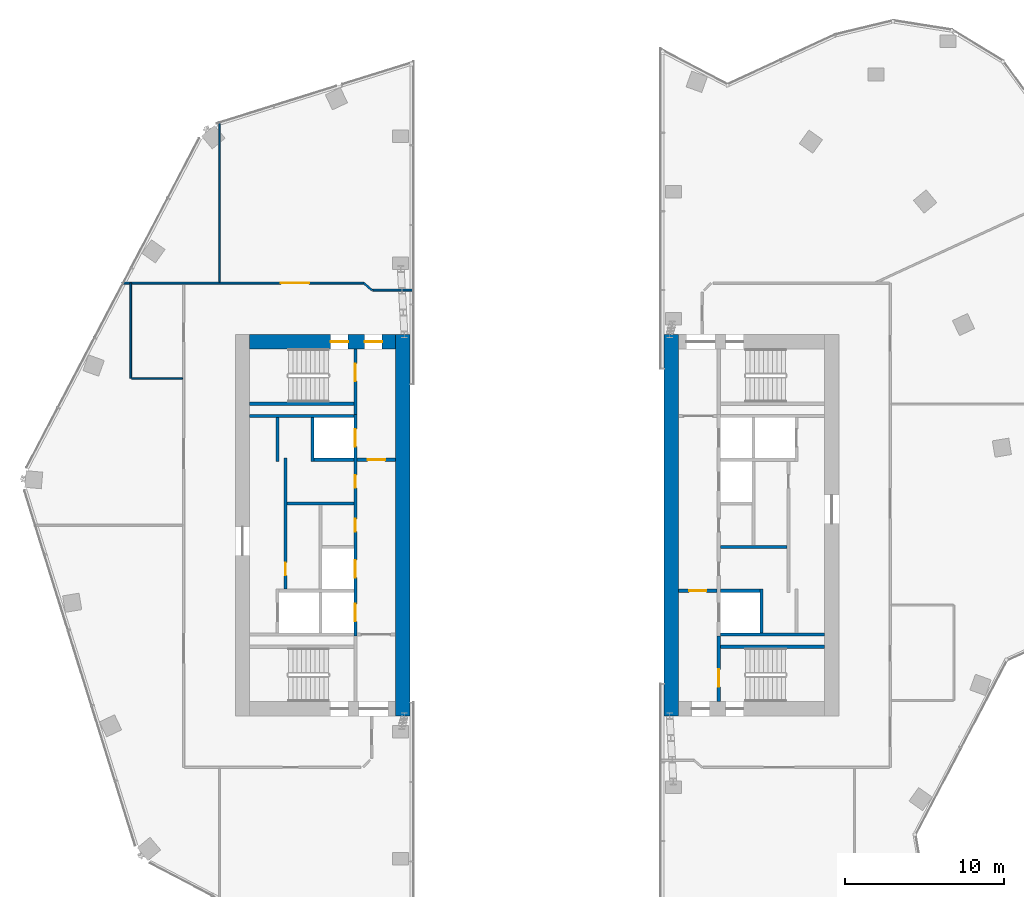
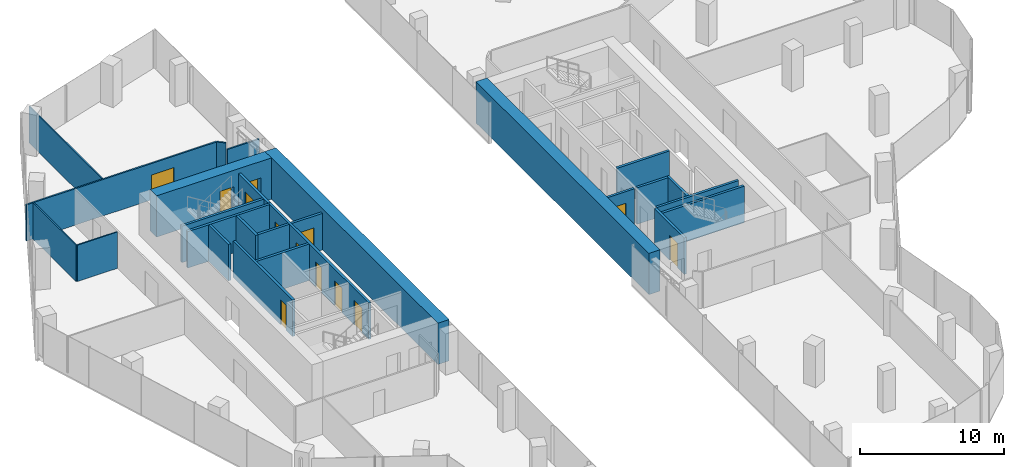
# One storey, part 19 of 23: 26 walls, 13 doors, 13 openings.
"""IFC4 building model written with IfcOpenShell, lengths in metres."""

from ifc_helpers import new_model, si_unit, direction, frame, frame_2d, origin, place, context, subcontext, project, spatial, rectangle, extrude, material, layer, layer_set, type_object, element, fill, save


model = new_model("IFC4")

# Units and contexts
model_context = context("Model", 3, precision=1e-05, world=origin(), true_north=direction((0.0, 1.0)))
body_context = subcontext(model_context, "Body", "Model", "MODEL_VIEW")
ifc_project = project(units=[si_unit("LENGTHUNIT", "METRE"), si_unit("AREAUNIT", "SQUARE_METRE"), si_unit("VOLUMEUNIT", "CUBIC_METRE"), si_unit("PLANEANGLEUNIT", "RADIAN"), si_unit("MASSUNIT", "GRAM", prefix="KILO")], contexts=[model_context])

# Site, building, storey
site_placement = place(None, origin())
site = spatial("IfcSite", under=ifc_project, at=site_placement, CompositionType="ELEMENT")
building_placement = place(site_placement, origin())
building = spatial("IfcBuilding", under=site, at=building_placement, Name="Orlundy Tower", CompositionType="ELEMENT")
storey_placement = place(building_placement, frame((0.0, 0.0, 257.0)))
storey = spatial("IfcBuildingStorey", under=building, at=storey_placement, Name="L68", CompositionType="ELEMENT", Elevation=257.0)

# Wall, openings, doors
ifc_material_1 = material(Name="Concrete C60/75", Category="concrete")
ifc_layer_1 = layer(ifc_material_1, 0.89990234375)
ifc_layer_set_1 = layer_set([ifc_layer_1], Name="CORE WALL 900 C60/75")
wall_type_1 = type_object("IfcWallType", Name="CORE WALL 900 C60/75", PredefinedType="SHEAR", material=ifc_layer_set_1)
wall_1_placement = place(storey_placement, frame((-18.10009765625, 11.550048828125, 0.0), z_axis=(0.0, 0.0, 1.0), x_axis=(1.0, 0.0, 0.0)))
wall_1 = element("IfcWall", 1, at=wall_1_placement, inside=storey, type_object=wall_type_1, Name="Core wall W-N L68", PredefinedType="SHEAR", context=body_context, shape_type="SweptSolid", body=[
    extrude(rectangle(XDim=9.2001953125, YDim=0.89990234375, at=frame_2d((4.60009765625, 0.0))), origin(), (0.0, 0.0, 1.0), 3.5),
])
opening_1_placement = place(wall_1_placement, frame((7.25, 0.0, 0.0)))
opening_1 = element("IfcOpeningElement", 2, at=opening_1_placement, cuts=wall_1, Name="Opening 52009", PredefinedType="OPENING", context=body_context, shape_type="SweptSolid", body=[
    extrude(rectangle(XDim=1.10009765625, YDim=2.10009765625, at=frame_2d((0.550048828125, 1.050048828125))), frame((0.0, 0.4599609375, 0.0), z_axis=(0.0, -1.0, 0.0), x_axis=(1.0, 0.0, 0.0)), (0.0, 0.0, 1.0), 0.919921875),
])
opening_2_placement = place(wall_1_placement, frame((5.10009765625, 0.0, 0.0)))
opening_2 = element("IfcOpeningElement", 3, at=opening_2_placement, cuts=wall_1, Name="Opening 52013", PredefinedType="OPENING", context=body_context, shape_type="SweptSolid", body=[
    extrude(rectangle(XDim=1.10009765625, YDim=2.10009765625, at=frame_2d((0.550048828125, 1.050048828125))), frame((0.0, 0.4599609375, 0.0), z_axis=(0.0, -1.0, 0.0), x_axis=(1.0, 0.0, 0.0)), (0.0, 0.0, 1.0), 0.919921875),
])
ifc_material_2 = material(Name="Steel door set", Category="steel")
door_type_1 = type_object("IfcDoorType", Name="Fire-fighting Lobby Door 1100x2100", OperationType="SINGLE_SWING_LEFT", PredefinedType="DOOR", material=ifc_material_2)
door_1_placement = place(opening_1_placement, origin())
door_1 = element("IfcDoor", 4, at=door_1_placement, inside=storey, type_object=door_type_1, Name="Fire-fighting lobby door 52009", OperationType="SINGLE_SWING_RIGHT", OverallHeight=2.10009765625, OverallWidth=1.10009765625, PredefinedType="DOOR", context=body_context, shape_type="SweptSolid", body=[
    extrude(rectangle(XDim=1.10009765625, YDim=2.10009765625, at=frame_2d((0.550048828125, 1.050048828125))), frame((0.0, 0.02490234375, 0.0), z_axis=(0.0, -1.0, 0.0), x_axis=(1.0, 0.0, 0.0)), (0.0, 0.0, 1.0), 0.050048828125),
])
fill(opening_1, door_1)
ifc_material_3 = material(Name="Steel door set", Category="steel")
door_type_2 = type_object("IfcDoorType", Name="Stair Door 1100x2100", OperationType="SINGLE_SWING_LEFT", PredefinedType="DOOR", material=ifc_material_3)
door_2_placement = place(opening_2_placement, origin())
door_2 = element("IfcDoor", 5, at=door_2_placement, inside=storey, type_object=door_type_2, Name="Stair door 52013", OperationType="SINGLE_SWING_RIGHT", OverallHeight=2.10009765625, OverallWidth=1.10009765625, PredefinedType="DOOR", context=body_context, shape_type="SweptSolid", body=[
    extrude(rectangle(XDim=1.10009765625, YDim=2.10009765625, at=frame_2d((0.550048828125, 1.050048828125))), frame((0.0, 0.02490234375, 0.0), z_axis=(0.0, -1.0, 0.0), x_axis=(1.0, 0.0, 0.0)), (0.0, 0.0, 1.0), 0.050048828125),
])
fill(opening_2, door_2)

# Walls
for number, where, z_axis, x_axis, name in (
    (6, (-8.449951171875, -12.0, 0.0), (0.0, 0.0, 1.0), (0.0, 1.0, 0.0), "Core wall W-E L68"),
    (7, (8.449951171875, -12.0, 0.0), (0.0, 0.0, 1.0), (0.0, 1.0, 0.0), "Core wall E-W L68"),
):
    element("IfcWall", number, at=place(storey_placement, frame(where, z_axis=z_axis, x_axis=x_axis)), inside=storey, type_object=wall_type_1, Name=name, PredefinedType="SHEAR", context=body_context, shape_type="SweptSolid", body=[
        extrude(rectangle(XDim=24.0, YDim=0.89990234375, at=frame_2d((12.0, 0.0))), origin(), (0.0, 0.0, 1.0), 3.5),
    ])
ifc_material_4 = material(Name="Gypsum board partition")
ifc_layer_2 = layer(ifc_material_4, 0.10009765625)
ifc_layer_set_2 = layer_set([ifc_layer_2], Name="Floor partition 100")
wall_type_2 = type_object("IfcWallType", Name="Floor partition 100", PredefinedType="PARTITIONING", material=ifc_layer_set_2)
wall_2_placement = place(storey_placement, frame((-25.531982421875, 9.2490234375, 0.0), z_axis=(0.0, 0.0, 1.0), x_axis=(1.0, 0.0, 0.0)))
element("IfcWall", 8, at=wall_2_placement, inside=storey, type_object=wall_type_2, Name="wall-int-L68-008", PredefinedType="PARTITIONING", context=body_context, shape_type="SweptSolid", body=[
    extrude(rectangle(XDim=3.219970703125, YDim=0.10009765625, at=frame_2d((1.60986328125, 0.0))), origin(), (0.0, 0.0, 1.0), 3.080078125),
])
wall_3_placement = place(storey_placement, frame((-20.0, 15.31298828125, 0.0), z_axis=(0.0, 0.0, 1.0), x_axis=(0.0, 1.0, 0.0)))
element("IfcWall", 9, at=wall_3_placement, inside=storey, type_object=wall_type_2, Name="wall-int-L68-023", PredefinedType="PARTITIONING", context=body_context, shape_type="SweptSolid", body=[
    extrude(rectangle(XDim=10.134033203125, YDim=0.10009765625, at=frame_2d((5.06689453125, 0.0))), origin(), (0.0, 0.0, 1.0), 3.080078125),
])
wall_4_placement = place(storey_placement, frame((-25.58203125, 9.2490234375, 0.0), z_axis=(0.0, 0.0, 1.0), x_axis=(0.0, 1.0, 0.0)))
element("IfcWall", 10, at=wall_4_placement, inside=storey, type_object=wall_type_2, Name="wall-int-L68-025", PredefinedType="PARTITIONING", context=body_context, shape_type="SweptSolid", body=[
    extrude(rectangle(XDim=6.0, YDim=0.10009765625, at=frame_2d((3.0, 0.0))), origin(), (0.0, 0.0, 1.0), 3.080078125),
])

# Wall, opening, door
ifc_material_5 = material(Name="Gypsum board partition, double layer")
ifc_layer_3 = layer(ifc_material_5, 0.125)
ifc_layer_set_3 = layer_set([ifc_layer_3], Name="Floor partition 125")
wall_type_3 = type_object("IfcWallType", Name="Floor partition 125", PredefinedType="PARTITIONING", material=ifc_layer_set_3)
wall_5_placement = place(storey_placement, frame((-26.159912109375, 15.25, 0.0), z_axis=(0.0, 0.0, 1.0), x_axis=(1.0, 0.0, 0.0)))
wall_5 = element("IfcWall", 11, at=wall_5_placement, inside=storey, type_object=wall_type_3, Name="wall-int-L68-010", PredefinedType="PARTITIONING", context=body_context, shape_type="SweptSolid", body=[
    extrude(rectangle(XDim=15.247802734375, YDim=0.125, at=frame_2d((7.6240234375, 0.0))), origin(), (0.0, 0.0, 1.0), 3.080078125),
])
opening_3_placement = place(wall_5_placement, frame((10.010009765625, 0.0, 0.0)))
opening_3 = element("IfcOpeningElement", 12, at=opening_3_placement, cuts=wall_5, Name="Opening 52108", PredefinedType="OPENING", context=body_context, shape_type="SweptSolid", body=[
    extrude(rectangle(XDim=1.800048828125, YDim=2.10009765625, at=frame_2d((0.89990234375, 1.050048828125))), frame((0.0, 0.072509765625, 0.0), z_axis=(0.0, -1.0, 0.0), x_axis=(1.0, 0.0, 0.0)), (0.0, 0.0, 1.0), 0.14501953125),
])
ifc_material_6 = material(Name="Timber door leaf", Category="wood")
door_type_3 = type_object("IfcDoorType", Name="Floor door double 1800 FD30S", OperationType="NOTDEFINED", PredefinedType="DOOR", material=ifc_material_6)
door_3_placement = place(opening_3_placement, origin())
door_3 = element("IfcDoor", 13, at=door_3_placement, inside=storey, type_object=door_type_3, Name="Door 52108", OperationType="DOUBLE_DOOR_SINGLE_SWING", OverallHeight=2.10009765625, OverallWidth=1.800048828125, PredefinedType="DOOR", context=body_context, shape_type="SweptSolid", body=[
    extrude(rectangle(XDim=1.800048828125, YDim=2.10009765625, at=frame_2d((0.89990234375, 1.050048828125))), frame((0.0, 0.02490234375, 0.0), z_axis=(0.0, -1.0, 0.0), x_axis=(1.0, 0.0, 0.0)), (0.0, 0.0, 1.0), 0.050048828125),
])
fill(opening_3, door_3)

# Walls
wall_6_placement = place(storey_placement, frame((-10.39892578125, 14.801025390625, 0.0), z_axis=(0.0, 0.0, 1.0), x_axis=(-0.752621053173, 0.658453909032, 0.0)))
element("IfcWall", 14, at=wall_6_placement, inside=storey, type_object=wall_type_3, Name="wall-int-L68-021", PredefinedType="PARTITIONING", context=body_context, shape_type="SweptSolid", body=[
    extrude(rectangle(XDim=0.681884765625, YDim=0.125, at=frame_2d((0.3408203125, 0.0))), origin(), (0.0, 0.0, 1.0), 3.080078125),
])
ifc_material_7 = material(Name="Gypsum board partition, double layer")
ifc_layer_4 = layer(ifc_material_7, 0.125)
ifc_layer_set_4 = layer_set([ifc_layer_4], Name="Floor partition 125 B")
wall_type_4 = type_object("IfcWallType", Name="Floor partition 125 B", PredefinedType="PARTITIONING", material=ifc_layer_set_4)
wall_7_placement = place(storey_placement, frame((-10.3359375, 14.801025390625, 0.0), z_axis=(0.0, 0.0, 1.0), x_axis=(1.0, 0.0, 0.0)))
element("IfcWall", 15, at=wall_7_placement, inside=storey, type_object=wall_type_4, Name="wall-int-L68-009", PredefinedType="PARTITIONING", context=body_context, shape_type="SweptSolid", body=[
    extrude(rectangle(XDim=2.5859375, YDim=0.125, at=frame_2d((1.29296875, 0.0))), origin(), (0.0, 0.0, 1.0), 2.496337890625),
])

# Wall, opening, door
ifc_material_8 = material(Name="Concrete C40/50", Category="concrete")
ifc_layer_5 = layer(ifc_material_8, 0.199951171875)
ifc_layer_set_5 = layer_set([ifc_layer_5], Name="Load-bearing Shaft Wall 200")
wall_type_5 = type_object("IfcWallType", Name="Load-bearing Shaft Wall 200", PredefinedType="SOLIDWALL", material=ifc_layer_set_5)
wall_8_placement = place(storey_placement, frame((-11.43994140625, 6.97509765625, 0.0), z_axis=(0.0, 0.0, 1.0), x_axis=(0.0, 1.0, 0.0)))
wall_8 = element("IfcWall", 16, at=wall_8_placement, inside=storey, type_object=wall_type_5, Name="Shaft wall W52-stair-end-n", PredefinedType="SOLIDWALL", context=body_context, shape_type="SweptSolid", body=[
    extrude(rectangle(XDim=4.125, YDim=0.199951171875, at=frame_2d((2.0625, 0.0))), origin(), (0.0, 0.0, 1.0), 3.090087890625),
])
opening_4_placement = place(wall_8_placement, frame((2.10009765625, 0.0, 0.0)))
opening_4 = element("IfcOpeningElement", 17, at=opening_4_placement, cuts=wall_8, Name="Opening 52015", PredefinedType="OPENING", context=body_context, shape_type="SweptSolid", body=[
    extrude(rectangle(XDim=1.10009765625, YDim=2.10009765625, at=frame_2d((0.550048828125, 1.050048828125))), frame((0.0, 0.110107421875, 0.0), z_axis=(0.0, -1.0, 0.0), x_axis=(1.0, 0.0, 0.0)), (0.0, 0.0, 1.0), 0.22021484375),
])
door_4_placement = place(opening_4_placement, origin())
door_4 = element("IfcDoor", 18, at=door_4_placement, inside=storey, type_object=door_type_1, Name="Fire-fighting lobby to stair door 52015", OperationType="SINGLE_SWING_RIGHT", OverallHeight=2.10009765625, OverallWidth=1.10009765625, PredefinedType="DOOR", context=body_context, shape_type="SweptSolid", body=[
    extrude(rectangle(XDim=1.10009765625, YDim=2.10009765625, at=frame_2d((0.550048828125, 1.050048828125))), frame((0.0, 0.02490234375, 0.0), z_axis=(0.0, -1.0, 0.0), x_axis=(1.0, 0.0, 0.0)), (0.0, 0.0, 1.0), 0.050048828125),
])
fill(opening_4, door_4)

# Wall
wall_9_placement = place(storey_placement, frame((-11.5400390625, 7.64990234375, 0.0), z_axis=(0.0, 0.0, 1.0), x_axis=(-1.0, 0.0, 0.0)))
element("IfcWall", 19, at=wall_9_placement, inside=storey, type_object=wall_type_5, Name="Shaft wall W52-stair-side-n", PredefinedType="SOLIDWALL", context=body_context, shape_type="SweptSolid", body=[
    extrude(rectangle(XDim=6.56005859375, YDim=0.199951171875, at=frame_2d((3.280029296875, 0.0))), origin(), (0.0, 0.0, 1.0), 3.090087890625),
])

# Wall, opening, door
wall_10_placement = place(storey_placement, frame((11.43994140625, -6.97509765625, 0.0), z_axis=(0.0, 0.0, 1.0), x_axis=(0.0, -1.0, 0.0)))
wall_10 = element("IfcWall", 20, at=wall_10_placement, inside=storey, type_object=wall_type_5, Name="Shaft wall E52-stair-end-n", PredefinedType="SOLIDWALL", context=body_context, shape_type="SweptSolid", body=[
    extrude(rectangle(XDim=4.125, YDim=0.199951171875, at=frame_2d((2.0625, 0.0))), origin(), (0.0, 0.0, 1.0), 3.090087890625),
])
opening_5_placement = place(wall_10_placement, frame((2.10009765625, 0.0, 0.0)))
opening_5 = element("IfcOpeningElement", 21, at=opening_5_placement, cuts=wall_10, Name="Opening 52064", PredefinedType="OPENING", context=body_context, shape_type="SweptSolid", body=[
    extrude(rectangle(XDim=1.10009765625, YDim=2.10009765625, at=frame_2d((0.550048828125, 1.050048828125))), frame((0.0, 0.110107421875, 0.0), z_axis=(0.0, -1.0, 0.0), x_axis=(1.0, 0.0, 0.0)), (0.0, 0.0, 1.0), 0.22021484375),
])
door_5_placement = place(opening_5_placement, origin())
door_5 = element("IfcDoor", 22, at=door_5_placement, inside=storey, type_object=door_type_1, Name="Fire-fighting lobby to stair door 52064", OperationType="SINGLE_SWING_RIGHT", OverallHeight=2.10009765625, OverallWidth=1.10009765625, PredefinedType="DOOR", context=body_context, shape_type="SweptSolid", body=[
    extrude(rectangle(XDim=1.10009765625, YDim=2.10009765625, at=frame_2d((0.550048828125, 1.050048828125))), frame((0.0, 0.02490234375, 0.0), z_axis=(0.0, -1.0, 0.0), x_axis=(1.0, 0.0, 0.0)), (0.0, 0.0, 1.0), 0.050048828125),
])
fill(opening_5, door_5)

# Wall
wall_11_placement = place(storey_placement, frame((11.5400390625, -7.64990234375, 0.0), z_axis=(0.0, 0.0, 1.0), x_axis=(1.0, 0.0, 0.0)))
element("IfcWall", 23, at=wall_11_placement, inside=storey, type_object=wall_type_5, Name="Shaft wall E52-stair-side-n", PredefinedType="SOLIDWALL", context=body_context, shape_type="SweptSolid", body=[
    extrude(rectangle(XDim=6.56005859375, YDim=0.199951171875, at=frame_2d((3.280029296875, 0.0))), origin(), (0.0, 0.0, 1.0), 3.090087890625),
])

# Wall, opening, door
ifc_material_9 = material(Name="Gypsum board partition on steel studs", Category="steel")
ifc_layer_6 = layer(ifc_material_9, 0.199951171875)
ifc_layer_set_6 = layer_set([ifc_layer_6], Name="Partition 200")
wall_type_6 = type_object("IfcWallType", Name="Partition 200", PredefinedType="PARTITIONING", material=ifc_layer_set_6)
wall_12_placement = place(storey_placement, frame((-8.89990234375, 4.125, 0.0), z_axis=(0.0, 0.0, 1.0), x_axis=(-1.0, 0.0, 0.0)))
wall_12 = element("IfcWall", 24, at=wall_12_placement, inside=storey, type_object=wall_type_6, Name="Partition wall W52-lobby-n", PredefinedType="PARTITIONING", context=body_context, shape_type="SweptSolid", body=[
    extrude(rectangle(XDim=2.440185546875, YDim=0.199951171875, at=frame_2d((1.22021484375, 0.0))), origin(), (0.0, 0.0, 1.0), 3.090087890625),
])
opening_6_placement = place(wall_12_placement, frame((0.669921875, 0.0, 0.0)))
opening_6 = element("IfcOpeningElement", 25, at=opening_6_placement, cuts=wall_12, Name="Opening 52010", PredefinedType="OPENING", context=body_context, shape_type="SweptSolid", body=[
    extrude(rectangle(XDim=1.10009765625, YDim=2.10009765625, at=frame_2d((0.550048828125, 1.050048828125))), frame((0.0, 0.110107421875, 0.0), z_axis=(0.0, -1.0, 0.0), x_axis=(1.0, 0.0, 0.0)), (0.0, 0.0, 1.0), 0.22021484375),
])
door_6_placement = place(opening_6_placement, origin())
door_6 = element("IfcDoor", 26, at=door_6_placement, inside=storey, type_object=door_type_1, Name="Lift lobby to fire-fighting lobby door 52010", OperationType="SINGLE_SWING_RIGHT", OverallHeight=2.10009765625, OverallWidth=1.10009765625, PredefinedType="DOOR", context=body_context, shape_type="SweptSolid", body=[
    extrude(rectangle(XDim=1.10009765625, YDim=2.10009765625, at=frame_2d((0.550048828125, 1.050048828125))), frame((0.0, 0.02490234375, 0.0), z_axis=(0.0, -1.0, 0.0), x_axis=(1.0, 0.0, 0.0)), (0.0, 0.0, 1.0), 0.050048828125),
])
fill(opening_6, door_6)

wall_13_placement = place(storey_placement, frame((8.89990234375, -4.125, 0.0), z_axis=(0.0, 0.0, 1.0), x_axis=(1.0, 0.0, 0.0)))
wall_13 = element("IfcWall", 27, at=wall_13_placement, inside=storey, type_object=wall_type_6, Name="Partition wall E52-lobby-n", PredefinedType="PARTITIONING", context=body_context, shape_type="SweptSolid", body=[
    extrude(rectangle(XDim=2.440185546875, YDim=0.199951171875, at=frame_2d((1.22021484375, 0.0))), origin(), (0.0, 0.0, 1.0), 3.090087890625),
])
opening_7_placement = place(wall_13_placement, frame((0.669921875, 0.0, 0.0)))
opening_7 = element("IfcOpeningElement", 28, at=opening_7_placement, cuts=wall_13, Name="Opening 52059", PredefinedType="OPENING", context=body_context, shape_type="SweptSolid", body=[
    extrude(rectangle(XDim=1.10009765625, YDim=2.10009765625, at=frame_2d((0.550048828125, 1.050048828125))), frame((0.0, 0.110107421875, 0.0), z_axis=(0.0, -1.0, 0.0), x_axis=(1.0, 0.0, 0.0)), (0.0, 0.0, 1.0), 0.22021484375),
])
door_7_placement = place(opening_7_placement, origin())
door_7 = element("IfcDoor", 29, at=door_7_placement, inside=storey, type_object=door_type_1, Name="Lift lobby to fire-fighting lobby door 52059", OperationType="SINGLE_SWING_RIGHT", OverallHeight=2.10009765625, OverallWidth=1.10009765625, PredefinedType="DOOR", context=body_context, shape_type="SweptSolid", body=[
    extrude(rectangle(XDim=1.10009765625, YDim=2.10009765625, at=frame_2d((0.550048828125, 1.050048828125))), frame((0.0, 0.02490234375, 0.0), z_axis=(0.0, -1.0, 0.0), x_axis=(1.0, 0.0, 0.0)), (0.0, 0.0, 1.0), 0.050048828125),
])
fill(opening_7, door_7)

# Walls
ifc_material_10 = material(Name="Fire-rated blockwork shaft wall", Category="masonry")
ifc_layer_7 = layer(ifc_material_10, 0.199951171875)
ifc_layer_set_7 = layer_set([ifc_layer_7], Name="Shaft Wall 200")
wall_type_7 = type_object("IfcWallType", Name="Shaft Wall 200", PredefinedType="SOLIDWALL", material=ifc_layer_set_7)
wall_14_placement = place(storey_placement, frame((-11.5400390625, 6.875, 0.0), z_axis=(0.0, 0.0, 1.0), x_axis=(-1.0, 0.0, 0.0)))
element("IfcWall", 30, at=wall_14_placement, inside=storey, type_object=wall_type_7, Name="Shaft wall W52-zone-n", PredefinedType="SOLIDWALL", context=body_context, shape_type="SweptSolid", body=[
    extrude(rectangle(XDim=6.56005859375, YDim=0.199951171875, at=frame_2d((3.280029296875, 0.0))), origin(), (0.0, 0.0, 1.0), 3.090087890625),
])
wall_15_placement = place(storey_placement, frame((-11.5400390625, 1.375, 0.0), z_axis=(0.0, 0.0, 1.0), x_axis=(-1.0, 0.0, 0.0)))
element("IfcWall", 31, at=wall_15_placement, inside=storey, type_object=wall_type_7, Name="Shaft wall W52-cross+1.375", PredefinedType="SOLIDWALL", context=body_context, shape_type="SweptSolid", body=[
    extrude(rectangle(XDim=4.199951171875, YDim=0.199951171875, at=frame_2d((2.10009765625, 0.0))), origin(), (0.0, 0.0, 1.0), 3.090087890625),
])
wall_16_placement = place(storey_placement, frame((-11.5400390625, 4.125, 0.0), z_axis=(0.0, 0.0, 1.0), x_axis=(-1.0, 0.0, 0.0)))
element("IfcWall", 32, at=wall_16_placement, inside=storey, type_object=wall_type_7, Name="Shaft wall W52-cross+4.125", PredefinedType="SOLIDWALL", context=body_context, shape_type="SweptSolid", body=[
    extrude(rectangle(XDim=2.5, YDim=0.199951171875, at=frame_2d((1.25, 0.0))), origin(), (0.0, 0.0, 1.0), 3.090087890625),
])

# Wall, openings, doors
wall_17_placement = place(storey_placement, frame((-11.43994140625, -6.97509765625, 0.0), z_axis=(0.0, 0.0, 1.0), x_axis=(0.0, 1.0, 0.0)))
wall_17 = element("IfcWall", 33, at=wall_17_placement, inside=storey, type_object=wall_type_7, Name="Shaft wall W52-front-h", PredefinedType="SOLIDWALL", context=body_context, shape_type="SweptSolid", body=[
    extrude(rectangle(XDim=13.9501953125, YDim=0.199951171875, at=frame_2d((6.97509765625, 0.0))), origin(), (0.0, 0.0, 1.0), 3.090087890625),
])
opening_8_placement = place(wall_17_placement, frame((0.925048828125, 0.0, 0.0)))
opening_8 = element("IfcOpeningElement", 34, at=opening_8_placement, cuts=wall_17, Name="Opening 52001", PredefinedType="OPENING", context=body_context, shape_type="SweptSolid", body=[
    extrude(rectangle(XDim=1.10009765625, YDim=2.10009765625, at=frame_2d((0.550048828125, 1.050048828125))), frame((0.0, 0.110107421875, 0.0), z_axis=(0.0, -1.0, 0.0), x_axis=(1.0, 0.0, 0.0)), (0.0, 0.0, 1.0), 0.22021484375),
])
opening_9_placement = place(wall_17_placement, frame((3.675048828125, 0.0, 0.0)))
opening_9 = element("IfcOpeningElement", 35, at=opening_9_placement, cuts=wall_17, Name="Opening 52003", PredefinedType="OPENING", context=body_context, shape_type="SweptSolid", body=[
    extrude(rectangle(XDim=1.10009765625, YDim=2.10009765625, at=frame_2d((0.550048828125, 1.050048828125))), frame((0.0, 0.110107421875, 0.0), z_axis=(0.0, -1.0, 0.0), x_axis=(1.0, 0.0, 0.0)), (0.0, 0.0, 1.0), 0.22021484375),
])
opening_10_placement = place(wall_17_placement, frame((11.925048828125, 0.0, 0.0)))
opening_10 = element("IfcOpeningElement", 36, at=opening_10_placement, cuts=wall_17, Name="Opening 52004", PredefinedType="OPENING", context=body_context, shape_type="SweptSolid", body=[
    extrude(rectangle(XDim=1.10009765625, YDim=2.10009765625, at=frame_2d((0.550048828125, 1.050048828125))), frame((0.0, 0.110107421875, 0.0), z_axis=(0.0, -1.0, 0.0), x_axis=(1.0, 0.0, 0.0)), (0.0, 0.0, 1.0), 0.22021484375),
])
opening_11_placement = place(wall_17_placement, frame((6.574951171875, 0.0, 0.0)))
opening_11 = element("IfcOpeningElement", 37, at=opening_11_placement, cuts=wall_17, Name="Opening 52006", PredefinedType="OPENING", context=body_context, shape_type="SweptSolid", body=[
    extrude(rectangle(XDim=0.800048828125, YDim=2.10009765625, at=frame_2d((0.39990234375, 1.050048828125))), frame((0.0, 0.110107421875, 0.0), z_axis=(0.0, -1.0, 0.0), x_axis=(1.0, 0.0, 0.0)), (0.0, 0.0, 1.0), 0.22021484375),
])
opening_12_placement = place(wall_17_placement, frame((9.324951171875, 0.0, 0.0)))
opening_12 = element("IfcOpeningElement", 38, at=opening_12_placement, cuts=wall_17, Name="Opening 52007", PredefinedType="OPENING", context=body_context, shape_type="SweptSolid", body=[
    extrude(rectangle(XDim=0.800048828125, YDim=2.10009765625, at=frame_2d((0.39990234375, 1.050048828125))), frame((0.0, 0.110107421875, 0.0), z_axis=(0.0, -1.0, 0.0), x_axis=(1.0, 0.0, 0.0)), (0.0, 0.0, 1.0), 0.22021484375),
])
ifc_material_11 = material(Name="Steel door set", Category="steel")
door_type_4 = type_object("IfcDoorType", Name="Landing Door 1100x2100", OperationType="DOUBLE_DOOR_SLIDING", PredefinedType="DOOR", material=ifc_material_11)
door_8_placement = place(opening_8_placement, origin())
door_8 = element("IfcDoor", 39, at=door_8_placement, inside=storey, type_object=door_type_4, Name="Lift landing door LP-22 52001", OperationType="DOUBLE_DOOR_SLIDING", OverallHeight=2.10009765625, OverallWidth=1.10009765625, PredefinedType="DOOR", context=body_context, shape_type="SweptSolid", body=[
    extrude(rectangle(XDim=1.10009765625, YDim=2.10009765625, at=frame_2d((0.550048828125, 1.050048828125))), frame((0.0, 0.02490234375, 0.0), z_axis=(0.0, -1.0, 0.0), x_axis=(1.0, 0.0, 0.0)), (0.0, 0.0, 1.0), 0.050048828125),
])
fill(opening_8, door_8)
door_9_placement = place(opening_9_placement, origin())
door_9 = element("IfcDoor", 40, at=door_9_placement, inside=storey, type_object=door_type_4, Name="Lift landing door LP-21 52003", OperationType="DOUBLE_DOOR_SLIDING", OverallHeight=2.10009765625, OverallWidth=1.10009765625, PredefinedType="DOOR", context=body_context, shape_type="SweptSolid", body=[
    extrude(rectangle(XDim=1.10009765625, YDim=2.10009765625, at=frame_2d((0.550048828125, 1.050048828125))), frame((0.0, 0.02490234375, 0.0), z_axis=(0.0, -1.0, 0.0), x_axis=(1.0, 0.0, 0.0)), (0.0, 0.0, 1.0), 0.050048828125),
])
fill(opening_9, door_9)
door_10_placement = place(opening_10_placement, origin())
door_10 = element("IfcDoor", 41, at=door_10_placement, inside=storey, type_object=door_type_4, Name="Lift landing door FL1 52004", OperationType="DOUBLE_DOOR_SLIDING", OverallHeight=2.10009765625, OverallWidth=1.10009765625, PredefinedType="DOOR", context=body_context, shape_type="SweptSolid", body=[
    extrude(rectangle(XDim=1.10009765625, YDim=2.10009765625, at=frame_2d((0.550048828125, 1.050048828125))), frame((0.0, 0.02490234375, 0.0), z_axis=(0.0, -1.0, 0.0), x_axis=(1.0, 0.0, 0.0)), (0.0, 0.0, 1.0), 0.050048828125),
])
fill(opening_10, door_10)
ifc_material_12 = material(Name="Timber door set", Category="wood")
door_type_5 = type_object("IfcDoorType", Name="Riser Door 800x2100", OperationType="SINGLE_SWING_LEFT", PredefinedType="DOOR", material=ifc_material_12)
door_11_placement = place(opening_11_placement, origin())
door_11 = element("IfcDoor", 42, at=door_11_placement, inside=storey, type_object=door_type_5, Name="Coat Store door 52006", OperationType="SINGLE_SWING_LEFT", OverallHeight=2.10009765625, OverallWidth=0.800048828125, PredefinedType="DOOR", context=body_context, shape_type="SweptSolid", body=[
    extrude(rectangle(XDim=0.800048828125, YDim=2.10009765625, at=frame_2d((0.39990234375, 1.050048828125))), frame((0.0, 0.02490234375, 0.0), z_axis=(0.0, -1.0, 0.0), x_axis=(1.0, 0.0, 0.0)), (0.0, 0.0, 1.0), 0.050048828125),
])
fill(opening_11, door_11)
door_12_placement = place(opening_12_placement, origin())
door_12 = element("IfcDoor", 43, at=door_12_placement, inside=storey, type_object=door_type_5, Name="Parcel Store door 52007", OperationType="SINGLE_SWING_LEFT", OverallHeight=2.10009765625, OverallWidth=0.800048828125, PredefinedType="DOOR", context=body_context, shape_type="SweptSolid", body=[
    extrude(rectangle(XDim=0.800048828125, YDim=2.10009765625, at=frame_2d((0.39990234375, 1.050048828125))), frame((0.0, 0.02490234375, 0.0), z_axis=(0.0, -1.0, 0.0), x_axis=(1.0, 0.0, 0.0)), (0.0, 0.0, 1.0), 0.050048828125),
])
fill(opening_12, door_12)

# Wall
wall_18_placement = place(storey_placement, frame((-14.139892578125, 4.02490234375, 0.0), z_axis=(0.0, 0.0, 1.0), x_axis=(0.0, 1.0, 0.0)))
element("IfcWall", 44, at=wall_18_placement, inside=storey, type_object=wall_type_7, Name="Shaft wall W52-mid-b", PredefinedType="SOLIDWALL", context=body_context, shape_type="SweptSolid", body=[
    extrude(rectangle(XDim=2.75, YDim=0.199951171875, at=frame_2d((1.375, 0.0))), origin(), (0.0, 0.0, 1.0), 3.090087890625),
])

# Wall, opening, door
wall_19_placement = place(storey_placement, frame((-15.840087890625, -4.02490234375, 0.0), z_axis=(0.0, 0.0, 1.0), x_axis=(0.0, 1.0, 0.0)))
wall_19 = element("IfcWall", 45, at=wall_19_placement, inside=storey, type_object=wall_type_7, Name="Shaft wall W52-front-o-b", PredefinedType="SOLIDWALL", context=body_context, shape_type="SweptSolid", body=[
    extrude(rectangle(XDim=8.25, YDim=0.199951171875, at=frame_2d((4.125, 0.0))), origin(), (0.0, 0.0, 1.0), 3.090087890625),
])
opening_13_placement = place(wall_19_placement, frame((0.875, 0.0, 0.0)))
opening_13 = element("IfcOpeningElement", 46, at=opening_13_placement, cuts=wall_19, Name="Opening 52005", PredefinedType="OPENING", context=body_context, shape_type="SweptSolid", body=[
    extrude(rectangle(XDim=0.800048828125, YDim=2.10009765625, at=frame_2d((0.39990234375, 1.050048828125))), frame((0.0, 0.110107421875, 0.0), z_axis=(0.0, -1.0, 0.0), x_axis=(1.0, 0.0, 0.0)), (0.0, 0.0, 1.0), 0.22021484375),
])
door_13_placement = place(opening_13_placement, origin())
door_13 = element("IfcDoor", 47, at=door_13_placement, inside=storey, type_object=door_type_5, Name="Printer Paper Store door 52005", OperationType="SINGLE_SWING_LEFT", OverallHeight=2.10009765625, OverallWidth=0.800048828125, PredefinedType="DOOR", context=body_context, shape_type="SweptSolid", body=[
    extrude(rectangle(XDim=0.800048828125, YDim=2.10009765625, at=frame_2d((0.39990234375, 1.050048828125))), frame((0.0, 0.02490234375, 0.0), z_axis=(0.0, -1.0, 0.0), x_axis=(1.0, 0.0, 0.0)), (0.0, 0.0, 1.0), 0.050048828125),
])
fill(opening_13, door_13)

# Walls
wall_20_placement = place(storey_placement, frame((-16.340087890625, 4.02490234375, 0.0), z_axis=(0.0, 0.0, 1.0), x_axis=(0.0, 1.0, 0.0)))
element("IfcWall", 48, at=wall_20_placement, inside=storey, type_object=wall_type_7, Name="Shaft wall W52-front-o-c", PredefinedType="SOLIDWALL", context=body_context, shape_type="SweptSolid", body=[
    extrude(rectangle(XDim=2.75, YDim=0.199951171875, at=frame_2d((1.375, 0.0))), origin(), (0.0, 0.0, 1.0), 3.090087890625),
])
wall_21_placement = place(storey_placement, frame((11.5400390625, -6.875, 0.0), z_axis=(0.0, 0.0, 1.0), x_axis=(1.0, 0.0, 0.0)))
element("IfcWall", 49, at=wall_21_placement, inside=storey, type_object=wall_type_7, Name="Shaft wall E52-zone-n", PredefinedType="SOLIDWALL", context=body_context, shape_type="SweptSolid", body=[
    extrude(rectangle(XDim=6.56005859375, YDim=0.199951171875, at=frame_2d((3.280029296875, 0.0))), origin(), (0.0, 0.0, 1.0), 3.090087890625),
])
wall_22_placement = place(storey_placement, frame((11.5400390625, -1.375, 0.0), z_axis=(0.0, 0.0, 1.0), x_axis=(1.0, 0.0, 0.0)))
element("IfcWall", 50, at=wall_22_placement, inside=storey, type_object=wall_type_7, Name="Shaft wall E52-cross+1.375", PredefinedType="SOLIDWALL", context=body_context, shape_type="SweptSolid", body=[
    extrude(rectangle(XDim=4.199951171875, YDim=0.199951171875, at=frame_2d((2.10009765625, 0.0))), origin(), (0.0, 0.0, 1.0), 3.090087890625),
])
wall_23_placement = place(storey_placement, frame((11.5400390625, -4.125, 0.0), z_axis=(0.0, 0.0, 1.0), x_axis=(1.0, 0.0, 0.0)))
element("IfcWall", 51, at=wall_23_placement, inside=storey, type_object=wall_type_7, Name="Shaft wall E52-cross+4.125", PredefinedType="SOLIDWALL", context=body_context, shape_type="SweptSolid", body=[
    extrude(rectangle(XDim=2.5, YDim=0.199951171875, at=frame_2d((1.25, 0.0))), origin(), (0.0, 0.0, 1.0), 3.090087890625),
])
wall_24_placement = place(storey_placement, frame((14.139892578125, -4.02490234375, 0.0), z_axis=(0.0, 0.0, 1.0), x_axis=(0.0, -1.0, 0.0)))
element("IfcWall", 52, at=wall_24_placement, inside=storey, type_object=wall_type_7, Name="Shaft wall E52-mid-b", PredefinedType="SOLIDWALL", context=body_context, shape_type="SweptSolid", body=[
    extrude(rectangle(XDim=2.75, YDim=0.199951171875, at=frame_2d((1.375, 0.0))), origin(), (0.0, 0.0, 1.0), 3.090087890625),
])

save(model, "model.ifc")
